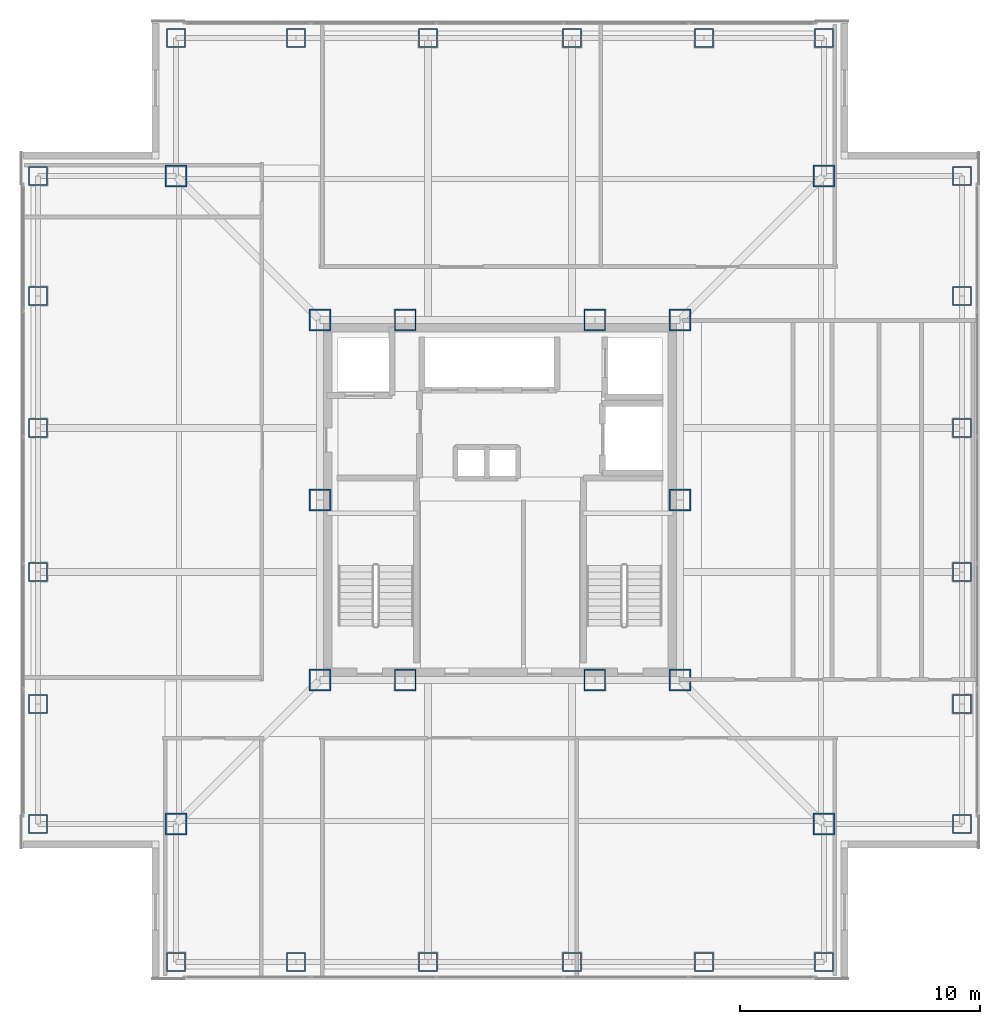
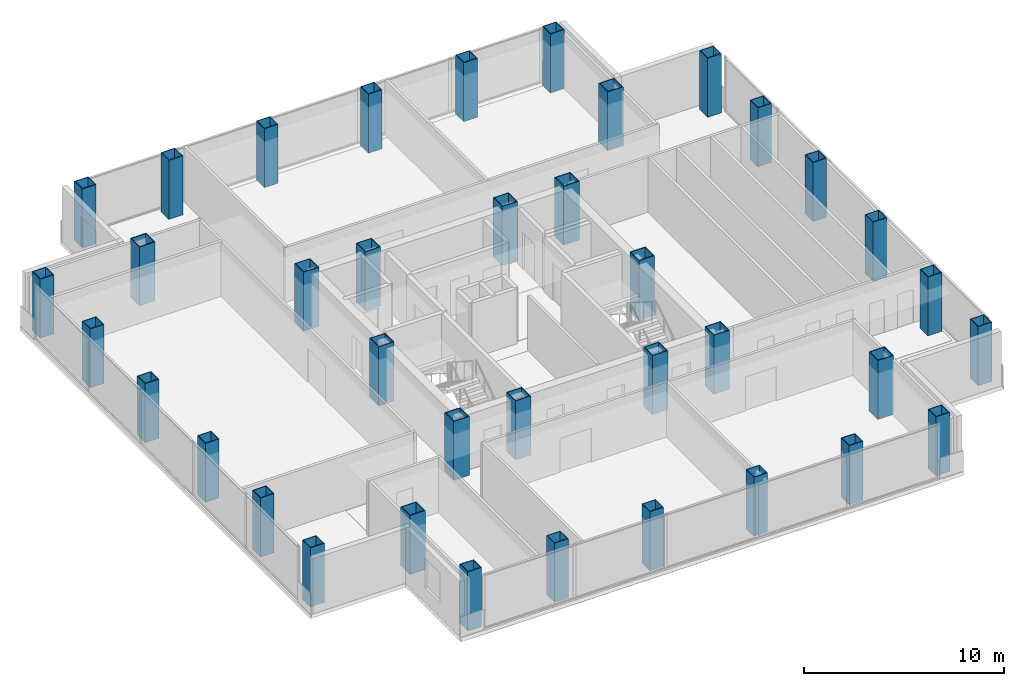
# One storey, part 1 of 18: 38 columns.
"""IFC4 building model written with IfcOpenShell, lengths in metres."""

from ifc_helpers import new_model, si_unit, direction, frame, origin, origin_2d, place, context, subcontext, project, spatial, hollow_rectangle, extrude, material, material_profile, profile_set, type_object, element, save


model = new_model("IFC4")

# Units and contexts
model_context = context("Model", 3, precision=1e-05, world=origin(), true_north=direction((0.0, 1.0)))
body_context = subcontext(model_context, "Body", "Model", "MODEL_VIEW")
ifc_project = project(units=[si_unit("LENGTHUNIT", "METRE"), si_unit("AREAUNIT", "SQUARE_METRE"), si_unit("VOLUMEUNIT", "CUBIC_METRE"), si_unit("PLANEANGLEUNIT", "RADIAN"), si_unit("MASSUNIT", "GRAM", prefix="KILO")], contexts=[model_context])

# Site, building, storey
site_placement = place(None, origin())
site = spatial("IfcSite", under=ifc_project, at=site_placement, CompositionType="ELEMENT")
building_placement = place(site_placement, origin())
building = spatial("IfcBuilding", under=site, at=building_placement, Name="Trevonay Congress Spire", CompositionType="ELEMENT")
storey_placement = place(building_placement, frame((0.0, 0.0, 198.60009765625)))
storey = spatial("IfcBuildingStorey", under=building, at=storey_placement, Name="L51", CompositionType="ELEMENT", Elevation=198.60009765625)

# Columns
ifc_material = material(Name="Steel ASTM A572 Grade 50", Category="steel")
ifc_material_profile_1 = material_profile(ifc_material, hollow_rectangle(XDim=0.89990234375, YDim=0.89990234375, WallThickness=0.044921875, at=origin_2d()), Name="BOX 900x900x45")
ifc_profile_set_1 = profile_set([ifc_material_profile_1], Name="Steel ASTM A572 Grade 50")
column_type_1 = type_object("IfcColumnType", Name="COL-CORE-BOX900", PredefinedType="COLUMN", material=ifc_profile_set_1)
for number, where, z_axis, x_axis, name in (
    (1, (-7.5, -7.5, 0.0), (0.0, 0.0, 1.0), (1.0, 0.0, 0.0), "L51 column C04 at CC-SW"),
    (2, (-3.949951171875, -7.5, 0.0), (0.0, 0.0, 1.0), (1.0, 0.0, 0.0), "L51 column C04 at CC-SMW"),
    (3, (3.949951171875, -7.5, 0.0), (0.0, 0.0, 1.0), (1.0, 0.0, 0.0), "L51 column C04 at CC-SME"),
    (4, (7.5, -7.5, 0.0), (0.0, 0.0, 1.0), (1.0, 0.0, 0.0), "L51 column C04 at CC-SE"),
    (5, (7.5, 0.0, 0.0), (0.0, 0.0, 1.0), (1.0, 0.0, 0.0), "L51 column C04 at CC-E"),
    (6, (7.5, 7.5, 0.0), (0.0, 0.0, 1.0), (1.0, 0.0, 0.0), "L51 column C04 at CC-NE"),
    (7, (3.949951171875, 7.5, 0.0), (0.0, 0.0, 1.0), (1.0, 0.0, 0.0), "L51 column C04 at CC-NME"),
    (8, (-3.949951171875, 7.5, 0.0), (0.0, 0.0, 1.0), (1.0, 0.0, 0.0), "L51 column C04 at CC-NMW"),
    (9, (-7.5, 7.5, 0.0), (0.0, 0.0, 1.0), (1.0, 0.0, 0.0), "L51 column C04 at CC-NW"),
    (10, (-7.5, 0.0, 0.0), (0.0, 0.0, 1.0), (1.0, 0.0, 0.0), "L51 column C04 at CC-W"),
):
    element("IfcColumn", number, at=place(storey_placement, frame(where, z_axis=z_axis, x_axis=x_axis)), inside=storey, type_object=column_type_1, Name=name, PredefinedType="COLUMN", context=body_context, shape_type="SweptSolid", body=[
        extrude(hollow_rectangle(XDim=0.89990234375, YDim=0.89990234375, WallThickness=0.044921875, at=origin_2d()), origin(), (0.0, 0.0, 1.0), 3.599853515625),
    ])
ifc_material_profile_2 = material_profile(ifc_material, hollow_rectangle(XDim=0.800048828125, YDim=0.800048828125, WallThickness=0.0400390625, at=origin_2d()), Name="BOX 800x800x40")
ifc_profile_set_2 = profile_set([ifc_material_profile_2], Name="Steel ASTM A572 Grade 50")
column_type_2 = type_object("IfcColumnType", Name="COL-TUBE-BOX800", PredefinedType="COLUMN", material=ifc_profile_set_2)
for number, where, z_axis, x_axis, name in (
    (11, (-13.5, -19.25, 0.0), (0.0, 0.0, 1.0), (1.0, 0.0, 0.0), "L51 column C16 at TS-1"),
    (12, (-13.5, 19.25, 0.0), (0.0, 0.0, 1.0), (1.0, 0.0, 0.0), "L51 column C16 at TN-1"),
    (13, (-19.25, -13.5, 0.0), (0.0, 0.0, 1.0), (1.0, 0.0, 0.0), "L51 column C16 at TW-1"),
    (14, (19.25, -13.5, 0.0), (0.0, 0.0, 1.0), (1.0, 0.0, 0.0), "L51 column C16 at TE-1"),
    (15, (-8.5, -19.25, 0.0), (0.0, 0.0, 1.0), (1.0, 0.0, 0.0), "L51 column C16 at TS-2"),
    (16, (-8.5, 19.25, 0.0), (0.0, 0.0, 1.0), (1.0, 0.0, 0.0), "L51 column C16 at TN-2"),
    (17, (-19.25, -8.5, 0.0), (0.0, 0.0, 1.0), (1.0, 0.0, 0.0), "L51 column C16 at TW-2"),
    (18, (19.25, -8.5, 0.0), (0.0, 0.0, 1.0), (1.0, 0.0, 0.0), "L51 column C16 at TE-2"),
    (19, (-3.0, -19.25, 0.0), (0.0, 0.0, 1.0), (1.0, 0.0, 0.0), "L51 column C16 at TS-3"),
    (20, (-3.0, 19.25, 0.0), (0.0, 0.0, 1.0), (1.0, 0.0, 0.0), "L51 column C16 at TN-3"),
    (21, (-19.25, -3.0, 0.0), (0.0, 0.0, 1.0), (1.0, 0.0, 0.0), "L51 column C16 at TW-3"),
    (22, (19.25, -3.0, 0.0), (0.0, 0.0, 1.0), (1.0, 0.0, 0.0), "L51 column C16 at TE-3"),
    (23, (3.0, -19.25, 0.0), (0.0, 0.0, 1.0), (1.0, 0.0, 0.0), "L51 column C16 at TS-4"),
    (24, (3.0, 19.25, 0.0), (0.0, 0.0, 1.0), (1.0, 0.0, 0.0), "L51 column C16 at TN-4"),
    (25, (-19.25, 3.0, 0.0), (0.0, 0.0, 1.0), (1.0, 0.0, 0.0), "L51 column C16 at TW-4"),
    (26, (19.25, 3.0, 0.0), (0.0, 0.0, 1.0), (1.0, 0.0, 0.0), "L51 column C16 at TE-4"),
    (27, (8.5, -19.25, 0.0), (0.0, 0.0, 1.0), (1.0, 0.0, 0.0), "L51 column C16 at TS-5"),
    (28, (8.5, 19.25, 0.0), (0.0, 0.0, 1.0), (1.0, 0.0, 0.0), "L51 column C16 at TN-5"),
    (29, (-19.25, 8.5, 0.0), (0.0, 0.0, 1.0), (1.0, 0.0, 0.0), "L51 column C16 at TW-5"),
    (30, (19.25, 8.5, 0.0), (0.0, 0.0, 1.0), (1.0, 0.0, 0.0), "L51 column C16 at TE-5"),
    (31, (13.5, -19.25, 0.0), (0.0, 0.0, 1.0), (1.0, 0.0, 0.0), "L51 column C16 at TS-6"),
    (32, (13.5, 19.25, 0.0), (0.0, 0.0, 1.0), (1.0, 0.0, 0.0), "L51 column C16 at TN-6"),
    (33, (-19.25, 13.5, 0.0), (0.0, 0.0, 1.0), (1.0, 0.0, 0.0), "L51 column C16 at TW-6"),
    (34, (19.25, 13.5, 0.0), (0.0, 0.0, 1.0), (1.0, 0.0, 0.0), "L51 column C16 at TE-6"),
):
    element("IfcColumn", number, at=place(storey_placement, frame(where, z_axis=z_axis, x_axis=x_axis)), inside=storey, type_object=column_type_2, Name=name, PredefinedType="COLUMN", context=body_context, shape_type="SweptSolid", body=[
        extrude(hollow_rectangle(XDim=0.800048828125, YDim=0.800048828125, WallThickness=0.0400390625, at=origin_2d()), origin(), (0.0, 0.0, 1.0), 3.599853515625),
    ])
ifc_material_profile_3 = material_profile(ifc_material, hollow_rectangle(XDim=0.89990234375, YDim=0.89990234375, WallThickness=0.044921875, at=origin_2d()), Name="BOX 900x900x45")
ifc_profile_set_3 = profile_set([ifc_material_profile_3], Name="Steel ASTM A572 Grade 50")
column_type_3 = type_object("IfcColumnType", Name="COL-TUBE-BOX900", PredefinedType="COLUMN", material=ifc_profile_set_3)
for number, where, z_axis, x_axis, name in (
    (35, (-13.5, -13.5, 0.0), (0.0, 0.0, 1.0), (1.0, 0.0, 0.0), "L51 column C15 at NC-SW"),
    (36, (13.5, -13.5, 0.0), (0.0, 0.0, 1.0), (1.0, 0.0, 0.0), "L51 column C15 at NC-SE"),
    (37, (13.5, 13.5, 0.0), (0.0, 0.0, 1.0), (1.0, 0.0, 0.0), "L51 column C15 at NC-NE"),
    (38, (-13.5, 13.5, 0.0), (0.0, 0.0, 1.0), (1.0, 0.0, 0.0), "L51 column C15 at NC-NW"),
):
    element("IfcColumn", number, at=place(storey_placement, frame(where, z_axis=z_axis, x_axis=x_axis)), inside=storey, type_object=column_type_3, Name=name, PredefinedType="COLUMN", context=body_context, shape_type="SweptSolid", body=[
        extrude(hollow_rectangle(XDim=0.89990234375, YDim=0.89990234375, WallThickness=0.044921875, at=origin_2d()), origin(), (0.0, 0.0, 1.0), 3.599853515625),
    ])

save(model, "model.ifc")
